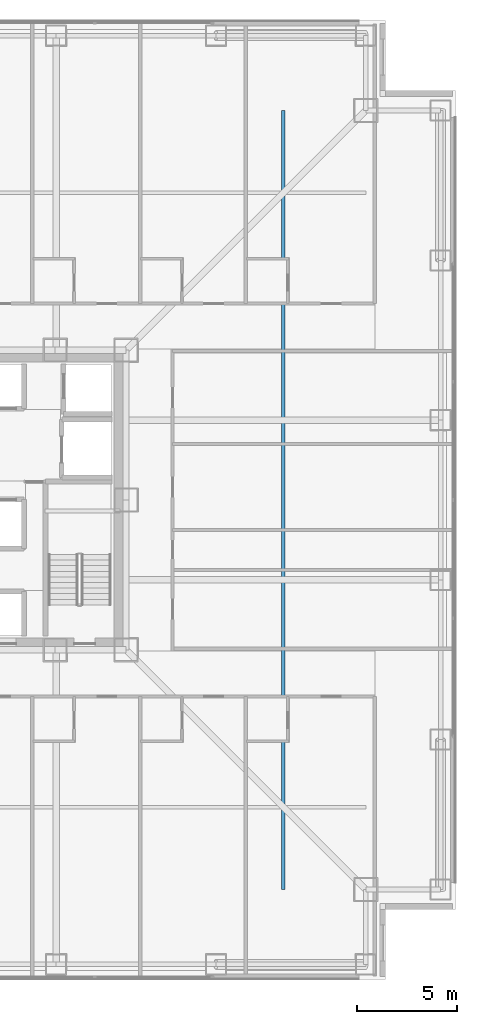
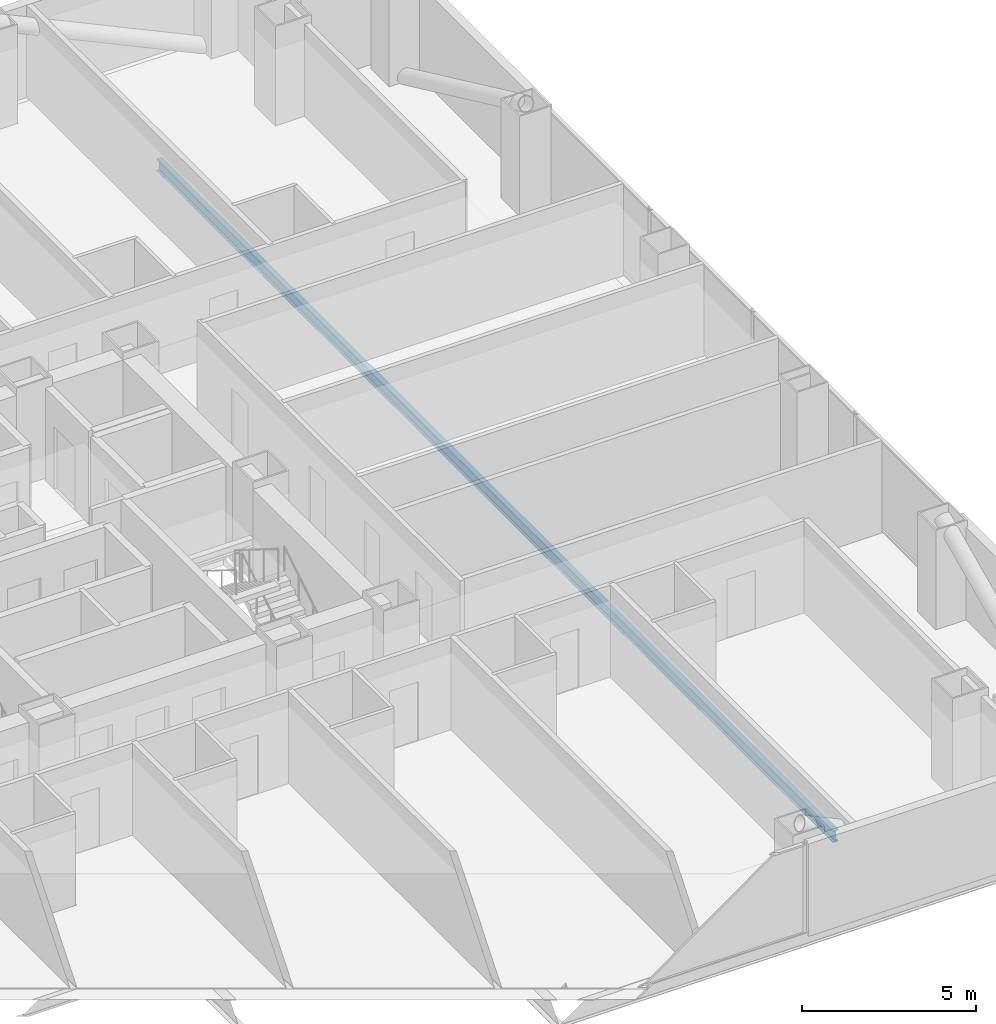
# One storey, part 10 of 23: 1 beam.
"""IFC4 building model written with IfcOpenShell, lengths in metres."""

from ifc_helpers import new_model, si_unit, direction, frame, origin, origin_2d, place, context, subcontext, project, spatial, i_section, extrude, material, material_profile, profile_set, type_object, element, save


model = new_model("IFC4")

# Units and contexts
model_context = context("Model", 3, precision=1e-05, world=origin(), true_north=direction((0.0, 1.0)))
body_context = subcontext(model_context, "Body", "Model", "MODEL_VIEW")
ifc_project = project(units=[si_unit("LENGTHUNIT", "METRE"), si_unit("AREAUNIT", "SQUARE_METRE"), si_unit("VOLUMEUNIT", "CUBIC_METRE"), si_unit("PLANEANGLEUNIT", "RADIAN"), si_unit("MASSUNIT", "GRAM", prefix="KILO")], contexts=[model_context])

# Site, building, storey
site_placement = place(None, origin())
site = spatial("IfcSite", under=ifc_project, at=site_placement, CompositionType="ELEMENT")
building_placement = place(site_placement, origin())
building = spatial("IfcBuilding", under=site, at=building_placement, Name="Trevonay Congress Spire", CompositionType="ELEMENT")
storey_placement = place(building_placement, frame((0.0, 0.0, 34.0)))
storey = spatial("IfcBuildingStorey", under=building, at=storey_placement, Name="L07", CompositionType="ELEMENT", Elevation=34.0)

# Beam
ifc_material = material(Name="Steel ASTM A572 Grade 50", Category="steel")
ifc_material_profile = material_profile(ifc_material, i_section(OverallWidth=0.177978515625, OverallDepth=0.406982421875, WebThickness=0.0078125, FlangeThickness=0.0126953125, FilletRadius=0.012939453125, at=origin_2d()), Name="W410x60")
ifc_profile_set = profile_set([ifc_material_profile], Name="Steel ASTM A572 Grade 50")
beam_type = type_object("IfcBeamType", Name="JS-COMP-W410X60", PredefinedType="JOIST", material=ifc_profile_set)
beam_placement = place(storey_placement, frame((15.375, -19.5, -0.45361328125), z_axis=(0.0, 1.0, 0.0), x_axis=(-1.0, 0.0, 0.0)))
element("IfcBeam", 1, at=beam_placement, inside=storey, type_object=beam_type, Name="L07 structural beam JS-L07-RING-E", PredefinedType="JOIST", context=body_context, shape_type="SweptSolid", body=[
    extrude(i_section(OverallWidth=0.177978515625, OverallDepth=0.406982421875, WebThickness=0.0078125, FlangeThickness=0.0126953125, FilletRadius=0.012939453125, at=origin_2d()), origin(), (0.0, 0.0, 1.0), 39.0),
])

save(model, "model.ifc")
